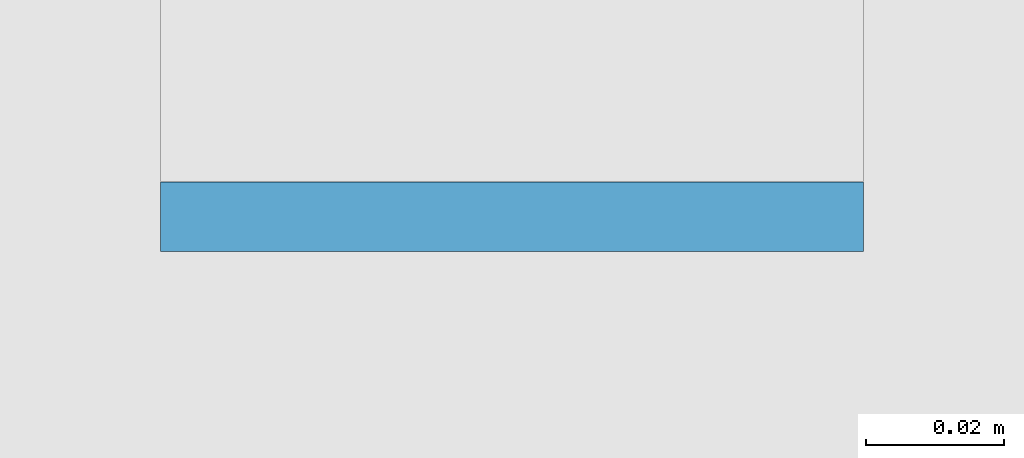
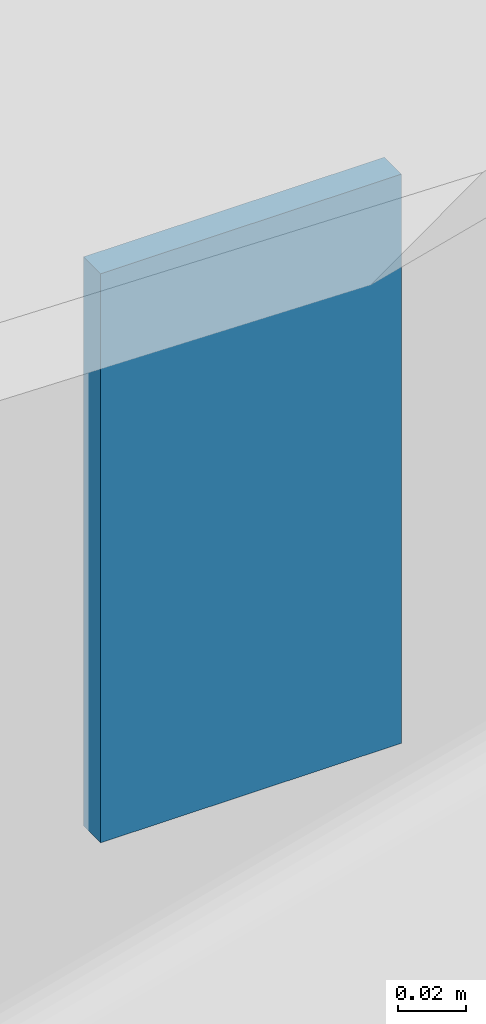
# One storey, part 19 of 42: 1 plate.
"""IFC4 building model written with IfcOpenShell, lengths in metres."""

from ifc_helpers import new_model, si_unit, derived_unit, direction, frame, origin, origin_2d, place, context, subcontext, project, spatial, rectangle, extrude, material, layer, layer_set, type_object, element, save


model = new_model("IFC4")

# Units and contexts
model_context = context("Model", 3, precision=1e-05, world=origin(), true_north=direction((0.0, 1.0)))
body_context = subcontext(model_context, "Body", "Model", "MODEL_VIEW")
ifc_project = project(units=[si_unit("LENGTHUNIT", "METRE"), si_unit("AREAUNIT", "SQUARE_METRE"), si_unit("VOLUMEUNIT", "CUBIC_METRE"), si_unit("PLANEANGLEUNIT", "RADIAN"), si_unit("MASSUNIT", "GRAM", prefix="KILO"), derived_unit("THERMALTRANSMITTANCEUNIT", [(si_unit("POWERUNIT", "WATT"), 1), (si_unit("LENGTHUNIT", "METRE"), -2), (si_unit("THERMODYNAMICTEMPERATUREUNIT", "KELVIN"), -1)])], contexts=[model_context])

# Site, building, storey
site_placement = place(None, origin())
site = spatial("IfcSite", under=ifc_project, at=site_placement, CompositionType="ELEMENT")
building_placement = place(site_placement, origin())
building = spatial("IfcBuilding", under=site, at=building_placement, Name="Barrovel Congress Hotel", CompositionType="ELEMENT")
storey_placement = place(building_placement, frame((0.0, 0.0, 18.300048828125)))
storey = spatial("IfcBuildingStorey", under=building, at=storey_placement, Name="L04", CompositionType="ELEMENT", Elevation=18.300048828125)

# Plate
ifc_material = material(Name="Steel ASTM A992 Grade 50", Category="steel")
ifc_layer = layer(ifc_material, 0.010009765625)
ifc_layer_set = layer_set([ifc_layer], Name="Steel ASTM A992 Grade 50")
plate_type = type_object("IfcPlateType", Name="EC-10", PredefinedType="SHEET", material=ifc_layer_set)
plate_placement = place(storey_placement, frame((14.699951171875, 37.794921875, 2.8720703125), z_axis=(0.0, 0.0, 1.0), x_axis=(0.0, -1.0, 0.0)))
element("IfcPlate", 1, at=plate_placement, inside=storey, type_object=plate_type, Name="End Cap Plate SF-PUR:3:0 start", PredefinedType="SHEET", context=body_context, shape_type="SweptSolid", body=[
    extrude(rectangle(XDim=0.010009765625, YDim=0.1015625, at=origin_2d()), origin(), (0.0, 0.0, 1.0), 0.203125),
])

save(model, "model.ifc")
